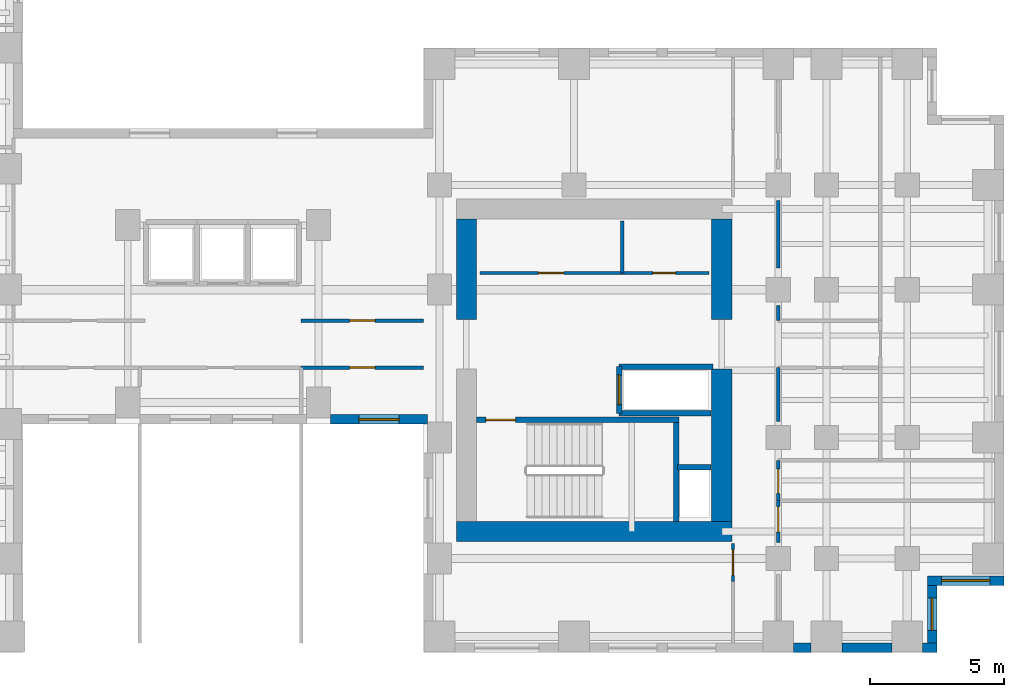
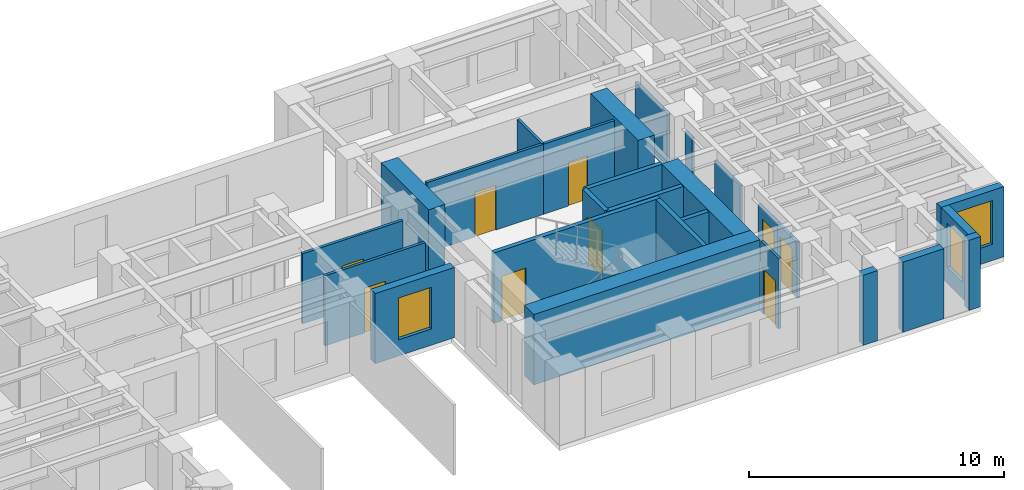
# One storey, part 7 of 11: 27 walls, 9 doors, 3 windows, 12 openings.
"""IFC4 building model written with IfcOpenShell, lengths in metres."""

from ifc_helpers import new_model, si_unit, direction, frame, frame_2d, origin, place, context, subcontext, project, spatial, rectangle, extrude, source, transform, mapped, material, layer, layer_set, type_object, element, fill, save


model = new_model("IFC4")

# Units and contexts
model_context = context("Model", 3, precision=1e-05, world=origin(), true_north=direction((0.0, 1.0)))
body_context = subcontext(model_context, "Body", "Model", "MODEL_VIEW")
ifc_project = project(units=[si_unit("LENGTHUNIT", "METRE"), si_unit("AREAUNIT", "SQUARE_METRE"), si_unit("VOLUMEUNIT", "CUBIC_METRE"), si_unit("PLANEANGLEUNIT", "RADIAN"), si_unit("MASSUNIT", "GRAM", prefix="KILO")], contexts=[model_context])

# Site, building, storey
site_placement = place(None, origin())
site = spatial("IfcSite", under=ifc_project, at=site_placement, CompositionType="ELEMENT")
building_placement = place(site_placement, origin())
building = spatial("IfcBuilding", under=site, at=building_placement, Name="Kharzan Plaza Tower", CompositionType="ELEMENT")
storey_placement = place(building_placement, frame((0.0, 0.0, 120.60009765625)))
storey = spatial("IfcBuildingStorey", under=building, at=storey_placement, Name="L32", CompositionType="ELEMENT", Elevation=120.60009765625)

# Wall, opening, window
ifc_material_1 = material(Name="Concrete C40/50", Category="concrete")
ifc_layer_1 = layer(ifc_material_1, 0.35009765625)
ifc_layer_set_1 = layer_set([ifc_layer_1], Name="Concrete C40/50")
wall_type_1 = type_object("IfcWallType", Name="WL-EXT-MAS-Z2", PredefinedType="SOLIDWALL", material=ifc_layer_set_1)
wall_1_placement = place(storey_placement, frame((30.947998046875, 8.675048828125, 0.0), z_axis=(0.0, 0.0, 1.0), x_axis=(1.0, 0.0, 0.0)))
wall_1 = element("IfcWall", 1, at=wall_1_placement, inside=storey, type_object=wall_type_1, Name="L32 Masonry-Frame Exterior Wall 36", PredefinedType="SOLIDWALL", context=body_context, shape_type="SweptSolid", body=[
    extrude(rectangle(XDim=3.60400390625, YDim=0.35009765625, at=frame_2d((1.802001953125, 0.0))), origin(), (0.0, 0.0, 1.0), 3.364990234375),
])
opening_1_placement = place(wall_1_placement, frame((1.052001953125, 0.0, 0.780029296875)))
opening_1 = element("IfcOpeningElement", 2, at=opening_1_placement, cuts=wall_1, Name="Opening W5", PredefinedType="OPENING", context=body_context, shape_type="SweptSolid", body=[
    extrude(rectangle(XDim=1.5, YDim=2.0, at=frame_2d((0.75, 1.0))), frame((0.0, 0.18505859375, 0.0), z_axis=(0.0, -1.0, 0.0), x_axis=(1.0, 0.0, 0.0)), (0.0, 0.0, 1.0), 0.3701171875),
])
ifc_material_2 = material(Name="Low-E Double Glazing", Category="glass")
window_type_1 = type_object("IfcWindowType", Name="WN-SLT-1500x2000", PartitioningType="SINGLE_PANEL", PredefinedType="WINDOW", material=ifc_material_2)
shared_shape_1 = source(origin(), body_context, "Body", "SweptSolid", [
    extrude(rectangle(XDim=1.5, YDim=2.0, at=frame_2d((0.75, 1.0))), frame((0.0, 0.030029296875, 0.0), z_axis=(0.0, -1.0, 0.0), x_axis=(1.0, 0.0, 0.0)), (0.0, 0.0, 1.0), 0.06005859375),
])
window_1_placement = place(opening_1_placement, origin())
window_1 = element("IfcWindow", 3, at=window_1_placement, inside=storey, type_object=window_type_1, Name="L32 Recessed Solar-Control Window 36-1", OverallHeight=2.0, OverallWidth=1.5, PartitioningType="SINGLE_PANEL", PredefinedType="WINDOW", context=body_context, shape_type="MappedRepresentation", body=[
    mapped(shared_shape_1, transform((0.0, 0.0, 0.0), x_axis=(1.0, 0.0, 0.0), y_axis=(0.0, 1.0, 0.0), z_axis=(0.0, 0.0, 1.0))),
])
fill(opening_1, window_1)

wall_2_placement = place(storey_placement, frame((53.324951171875, 0.347900390625, 0.0), z_axis=(0.0, 0.0, 1.0), x_axis=(0.0, 1.0, 0.0)))
wall_2 = element("IfcWall", 4, at=wall_2_placement, inside=storey, type_object=wall_type_1, Name="L32 Masonry-Frame Exterior Wall 44", PredefinedType="SOLIDWALL", context=body_context, shape_type="SweptSolid", body=[
    extrude(rectangle(XDim=2.154052734375, YDim=0.35009765625, at=frame_2d((1.0771484375, 0.0))), origin(), (0.0, 0.0, 1.0), 3.364990234375),
])
opening_2_placement = place(wall_2_placement, frame((0.47705078125, 0.0, 0.780029296875)))
opening_2 = element("IfcOpeningElement", 5, at=opening_2_placement, cuts=wall_2, Name="Opening W3", PredefinedType="OPENING", context=body_context, shape_type="SweptSolid", body=[
    extrude(rectangle(XDim=1.199951171875, YDim=2.10009765625, at=frame_2d((0.60009765625, 1.050048828125))), frame((0.0, 0.18505859375, 0.0), z_axis=(0.0, -1.0, 0.0), x_axis=(1.0, 0.0, 0.0)), (0.0, 0.0, 1.0), 0.3701171875),
])
window_type_2 = type_object("IfcWindowType", Name="WN-REC-1200x2100", PartitioningType="SINGLE_PANEL", PredefinedType="WINDOW", material=ifc_material_2)
shared_shape_2 = source(origin(), body_context, "Body", "SweptSolid", [
    extrude(rectangle(XDim=1.199951171875, YDim=2.10009765625, at=frame_2d((0.60009765625, 1.050048828125))), frame((0.0, 0.030029296875, 0.0), z_axis=(0.0, -1.0, 0.0), x_axis=(1.0, 0.0, 0.0)), (0.0, 0.0, 1.0), 0.06005859375),
])
window_2_placement = place(opening_2_placement, origin())
window_2 = element("IfcWindow", 6, at=window_2_placement, inside=storey, type_object=window_type_2, Name="L32 Recessed Solar-Control Window 44-1", OverallHeight=2.10009765625, OverallWidth=1.199951171875, PartitioningType="SINGLE_PANEL", PredefinedType="WINDOW", context=body_context, shape_type="MappedRepresentation", body=[
    mapped(shared_shape_2, transform((0.0, 0.0, 0.0), x_axis=(1.0, 0.0, 0.0), y_axis=(0.0, 1.0, 0.0), z_axis=(0.0, 0.0, 1.0))),
])
fill(opening_2, window_2)

wall_3_placement = place(storey_placement, frame((53.14990234375, 2.675048828125, 0.0), z_axis=(0.0, 0.0, 1.0), x_axis=(1.0, 0.0, 0.0)))
wall_3 = element("IfcWall", 7, at=wall_3_placement, inside=storey, type_object=wall_type_1, Name="L32 Masonry-Frame Exterior Wall 45", PredefinedType="SOLIDWALL", context=body_context, shape_type="SweptSolid", body=[
    extrude(rectangle(XDim=2.85009765625, YDim=0.35009765625, at=frame_2d((1.425048828125, 0.0))), origin(), (0.0, 0.0, 1.0), 3.364990234375),
])
opening_3_placement = place(wall_3_placement, frame((0.52490234375, 0.0, 0.780029296875)))
opening_3 = element("IfcOpeningElement", 8, at=opening_3_placement, cuts=wall_3, Name="Opening W1", PredefinedType="OPENING", context=body_context, shape_type="SweptSolid", body=[
    extrude(rectangle(XDim=1.800048828125, YDim=2.10009765625, at=frame_2d((0.89990234375, 1.050048828125))), frame((0.0, 0.18505859375, 0.0), z_axis=(0.0, -1.0, 0.0), x_axis=(1.0, 0.0, 0.0)), (0.0, 0.0, 1.0), 0.3701171875),
])
window_type_3 = type_object("IfcWindowType", Name="WN-REC-1800x2100", PartitioningType="SINGLE_PANEL", PredefinedType="WINDOW", material=ifc_material_2)
shared_shape_3 = source(origin(), body_context, "Body", "SweptSolid", [
    extrude(rectangle(XDim=1.800048828125, YDim=2.10009765625, at=frame_2d((0.89990234375, 1.050048828125))), frame((0.0, 0.030029296875, 0.0), z_axis=(0.0, -1.0, 0.0), x_axis=(1.0, 0.0, 0.0)), (0.0, 0.0, 1.0), 0.06005859375),
])
window_3_placement = place(opening_3_placement, origin())
window_3 = element("IfcWindow", 9, at=window_3_placement, inside=storey, type_object=window_type_3, Name="L32 Recessed Solar-Control Window 45-1", OverallHeight=2.10009765625, OverallWidth=1.800048828125, PartitioningType="SINGLE_PANEL", PredefinedType="WINDOW", context=body_context, shape_type="MappedRepresentation", body=[
    mapped(shared_shape_3, transform((0.0, 0.0, 0.0), x_axis=(1.0, 0.0, 0.0), y_axis=(0.0, 1.0, 0.0), z_axis=(0.0, 0.0, 1.0))),
])
fill(opening_3, window_3)

# Wall, opening, door
ifc_material_3 = material(Name="Fire-Rated Gypsum Board Partition", Category="gypsum")
ifc_layer_2 = layer(ifc_material_3, 0.125)
ifc_layer_set_2 = layer_set([ifc_layer_2], Name="Fire-Rated Gypsum Board Partition")
wall_type_2 = type_object("IfcWallType", Name="WL-INT-PART-125", PredefinedType="PARTITIONING", material=ifc_layer_set_2)
wall_4_placement = place(storey_placement, frame((36.5, 14.1201171875, 0.0), z_axis=(0.0, 0.0, 1.0), x_axis=(1.0, 0.0, 0.0)))
wall_4 = element("IfcWall", 10, at=wall_4_placement, inside=storey, type_object=wall_type_2, Name="L32 Interior Partition CB-RBLSA", PredefinedType="PARTITIONING", context=body_context, shape_type="SweptSolid", body=[
    extrude(rectangle(XDim=5.300048828125, YDim=0.125, at=frame_2d((2.64990234375, 0.0))), origin(), (0.0, 0.0, 1.0), 3.364990234375),
])
opening_4_placement = place(wall_4_placement, frame((2.175048828125, 0.0, 0.0)))
opening_4 = element("IfcOpeningElement", 11, at=opening_4_placement, cuts=wall_4, Name="Opening OD1", PredefinedType="OPENING", context=body_context, shape_type="SweptSolid", body=[
    extrude(rectangle(XDim=0.949951171875, YDim=2.14990234375, at=frame_2d((0.47509765625, 1.074951171875))), frame((0.0, 0.072509765625, 0.0), z_axis=(0.0, -1.0, 0.0), x_axis=(1.0, 0.0, 0.0)), (0.0, 0.0, 1.0), 0.14501953125),
])
ifc_material_4 = material(Name="Acoustic Solid-Core Stained Oak", Category="timber")
door_type_1 = type_object("IfcDoorType", Name="DR-OFF-SINGLE", OperationType="NOTDEFINED", PredefinedType="DOOR", material=ifc_material_4)
shared_shape_4 = source(origin(), body_context, "Body", "SweptSolid", [
    extrude(rectangle(XDim=0.949951171875, YDim=2.14990234375, at=frame_2d((0.47509765625, 1.074951171875))), frame((0.0, 0.02490234375, 0.0), z_axis=(0.0, -1.0, 0.0), x_axis=(1.0, 0.0, 0.0)), (0.0, 0.0, 1.0), 0.050048828125),
])
door_1_placement = place(opening_4_placement, origin())
door_1 = element("IfcDoor", 12, at=door_1_placement, inside=storey, type_object=door_type_1, Name="L32 Records Room Door", OperationType="SINGLE_SWING_LEFT", OverallHeight=2.14990234375, OverallWidth=0.949951171875, PredefinedType="DOOR", context=body_context, shape_type="MappedRepresentation", body=[
    mapped(shared_shape_4, transform((0.0, 0.0, 0.0), x_axis=(1.0, 0.0, 0.0), y_axis=(0.0, 1.0, 0.0), z_axis=(0.0, 0.0, 1.0))),
])
fill(opening_4, door_1)

wall_5_placement = place(storey_placement, frame((41.800048828125, 14.1201171875, 0.0), z_axis=(0.0, 0.0, 1.0), x_axis=(1.0, 0.0, 0.0)))
wall_5 = element("IfcWall", 13, at=wall_5_placement, inside=storey, type_object=wall_type_2, Name="L32 Interior Partition CB-RBLSB", PredefinedType="PARTITIONING", context=body_context, shape_type="SweptSolid", body=[
    extrude(rectangle(XDim=3.219970703125, YDim=0.125, at=frame_2d((1.60986328125, 0.0))), origin(), (0.0, 0.0, 1.0), 3.364990234375),
])
opening_5_placement = place(wall_5_placement, frame((1.135009765625, 0.0, 0.0)))
opening_5 = element("IfcOpeningElement", 14, at=opening_5_placement, cuts=wall_5, Name="Opening RD1", PredefinedType="OPENING", context=body_context, shape_type="SweptSolid", body=[
    extrude(rectangle(XDim=0.85009765625, YDim=2.10009765625, at=frame_2d((0.425048828125, 1.050048828125))), frame((0.0, 0.072509765625, 0.0), z_axis=(0.0, -1.0, 0.0), x_axis=(1.0, 0.0, 0.0)), (0.0, 0.0, 1.0), 0.14501953125),
])
ifc_material_5 = material(Name="Powder-Coated Fire-Rated Steel", Category="steel")
door_type_2 = type_object("IfcDoorType", Name="DR-RISER-900", OperationType="NOTDEFINED", PredefinedType="DOOR", material=ifc_material_5)
shared_shape_5 = source(origin(), body_context, "Body", "SweptSolid", [
    extrude(rectangle(XDim=0.85009765625, YDim=2.10009765625, at=frame_2d((0.425048828125, 1.050048828125))), frame((0.0, 0.02490234375, 0.0), z_axis=(0.0, -1.0, 0.0), x_axis=(1.0, 0.0, 0.0)), (0.0, 0.0, 1.0), 0.050048828125),
])
door_2_placement = place(opening_5_placement, origin())
door_2 = element("IfcDoor", 15, at=door_2_placement, inside=storey, type_object=door_type_2, Name="L32 Housekeeping Store Door", OperationType="SINGLE_SWING_RIGHT", OverallHeight=2.10009765625, OverallWidth=0.85009765625, PredefinedType="DOOR", context=body_context, shape_type="MappedRepresentation", body=[
    mapped(shared_shape_5, transform((0.0, 0.0, 0.0), x_axis=(1.0, 0.0, 0.0), y_axis=(0.0, 1.0, 0.0), z_axis=(0.0, 0.0, 1.0))),
])
fill(opening_5, door_2)

wall_6_placement = place(storey_placement, frame((47.60009765625, 4.090087890625, 0.0), z_axis=(0.0, 0.0, 1.0), x_axis=(0.0, 1.0, 0.0)))
wall_6 = element("IfcWall", 16, at=wall_6_placement, inside=storey, type_object=wall_type_2, Name="L32 Interior Partition SH-B2W0", PredefinedType="PARTITIONING", context=body_context, shape_type="SweptSolid", body=[
    extrude(rectangle(XDim=1.559814453125, YDim=0.125, at=frame_2d((0.77978515625, 0.0))), origin(), (0.0, 0.0, 1.0), 2.677001953125),
])
opening_6_placement = place(wall_6_placement, frame((0.38818359375, 0.0, 0.0)))
opening_6 = element("IfcOpeningElement", 17, at=opening_6_placement, cuts=wall_6, Name="Opening OD1", PredefinedType="OPENING", context=body_context, shape_type="SweptSolid", body=[
    extrude(rectangle(XDim=0.949951171875, YDim=2.14990234375, at=frame_2d((0.47509765625, 1.074951171875))), frame((0.0, 0.072509765625, 0.0), z_axis=(0.0, -1.0, 0.0), x_axis=(1.0, 0.0, 0.0)), (0.0, 0.0, 1.0), 0.14501953125),
])
door_3_placement = place(opening_6_placement, origin())
door_3 = element("IfcDoor", 18, at=door_3_placement, inside=storey, type_object=door_type_1, Name="L32 Wing B South Office Door", OperationType="SINGLE_SWING_RIGHT", OverallHeight=2.14990234375, OverallWidth=0.949951171875, PredefinedType="DOOR", context=body_context, shape_type="MappedRepresentation", body=[
    mapped(shared_shape_4, transform((0.0, 0.0, 0.0), x_axis=(1.0, 0.0, 0.0), y_axis=(0.0, 1.0, 0.0), z_axis=(0.0, 0.0, 1.0))),
])
fill(opening_6, door_3)

wall_7_placement = place(storey_placement, frame((47.60009765625, 5.64990234375, 0.0), z_axis=(0.0, 0.0, 1.0), x_axis=(0.0, 1.0, 0.0)))
wall_7 = element("IfcWall", 19, at=wall_7_placement, inside=storey, type_object=wall_type_2, Name="L32 Interior Partition SH-B2WC", PredefinedType="PARTITIONING", context=body_context, shape_type="SweptSolid", body=[
    extrude(rectangle(XDim=1.5, YDim=0.125, at=frame_2d((0.75, 0.0))), origin(), (0.0, 0.0, 1.0), 2.677001953125),
])
opening_7_placement = place(wall_7_placement, frame((0.27490234375, 0.0, 0.0)))
opening_7 = element("IfcOpeningElement", 20, at=opening_7_placement, cuts=wall_7, Name="Opening WD1", PredefinedType="OPENING", context=body_context, shape_type="SweptSolid", body=[
    extrude(rectangle(XDim=0.89990234375, YDim=2.14990234375, at=frame_2d((0.449951171875, 1.074951171875))), frame((0.0, 0.072509765625, 0.0), z_axis=(0.0, -1.0, 0.0), x_axis=(1.0, 0.0, 0.0)), (0.0, 0.0, 1.0), 0.14501953125),
])
ifc_material_6 = material(Name="Moisture-Resistant Fire-Rated Laminate", Category="timber")
door_type_3 = type_object("IfcDoorType", Name="DR-WC-900", OperationType="NOTDEFINED", PredefinedType="DOOR", material=ifc_material_6)
shared_shape_6 = source(origin(), body_context, "Body", "SweptSolid", [
    extrude(rectangle(XDim=0.89990234375, YDim=2.14990234375, at=frame_2d((0.449951171875, 1.074951171875))), frame((0.0, 0.02490234375, 0.0), z_axis=(0.0, -1.0, 0.0), x_axis=(1.0, 0.0, 0.0)), (0.0, 0.0, 1.0), 0.050048828125),
])
door_4_placement = place(opening_7_placement, origin())
door_4 = element("IfcDoor", 21, at=door_4_placement, inside=storey, type_object=door_type_3, Name="L32 Wing B Washroom Door", OperationType="SINGLE_SWING_LEFT", OverallHeight=2.14990234375, OverallWidth=0.89990234375, PredefinedType="DOOR", context=body_context, shape_type="MappedRepresentation", body=[
    mapped(shared_shape_6, transform((0.0, 0.0, 0.0), x_axis=(1.0, 0.0, 0.0), y_axis=(0.0, 1.0, 0.0), z_axis=(0.0, 0.0, 1.0))),
])
fill(opening_7, door_4)

wall_8_placement = place(storey_placement, frame((45.919921875, 2.64990234375, 0.0), z_axis=(0.0, 0.0, 1.0), x_axis=(0.0, 1.0, 0.0)))
wall_8 = element("IfcWall", 22, at=wall_8_placement, inside=storey, type_object=wall_type_2, Name="L32 Interior Partition SH-RBSE", PredefinedType="PARTITIONING", context=body_context, shape_type="SweptSolid", body=[
    extrude(rectangle(XDim=1.400146484375, YDim=0.125, at=frame_2d((0.7001953125, 0.0))), origin(), (0.0, 0.0, 1.0), 3.364990234375),
])
opening_8_placement = place(wall_8_placement, frame((0.22509765625, 0.0, 0.0)))
opening_8 = element("IfcOpeningElement", 23, at=opening_8_placement, cuts=wall_8, Name="Opening OD1", PredefinedType="OPENING", context=body_context, shape_type="SweptSolid", body=[
    extrude(rectangle(XDim=0.949951171875, YDim=2.14990234375, at=frame_2d((0.47509765625, 1.074951171875))), frame((0.0, 0.072509765625, 0.0), z_axis=(0.0, -1.0, 0.0), x_axis=(1.0, 0.0, 0.0)), (0.0, 0.0, 1.0), 0.14501953125),
])
door_5_placement = place(opening_8_placement, origin())
door_5 = element("IfcDoor", 24, at=door_5_placement, inside=storey, type_object=door_type_1, Name="L32 South-East Corner Office Door", OperationType="SINGLE_SWING_LEFT", OverallHeight=2.14990234375, OverallWidth=0.949951171875, PredefinedType="DOOR", context=body_context, shape_type="MappedRepresentation", body=[
    mapped(shared_shape_4, transform((0.0, 0.0, 0.0), x_axis=(1.0, 0.0, 0.0), y_axis=(0.0, 1.0, 0.0), z_axis=(0.0, 0.0, 1.0))),
])
fill(opening_8, door_5)

wall_9_placement = place(storey_placement, frame((29.85009765625, 12.35009765625, 0.0), z_axis=(0.0, 0.0, 1.0), x_axis=(1.0, 0.0, 0.0)))
wall_9 = element("IfcWall", 25, at=wall_9_placement, inside=storey, type_object=wall_type_2, Name="L32 Interior Partition SH-SPNE1", PredefinedType="PARTITIONING", context=body_context, shape_type="SweptSolid", body=[
    extrude(rectangle(XDim=4.5498046875, YDim=0.125, at=frame_2d((2.27490234375, 0.0))), origin(), (0.0, 0.0, 1.0), 3.364990234375),
])
opening_9_placement = place(wall_9_placement, frame((1.800048828125, 0.0, 0.0)))
opening_9 = element("IfcOpeningElement", 26, at=opening_9_placement, cuts=wall_9, Name="Opening OD1", PredefinedType="OPENING", context=body_context, shape_type="SweptSolid", body=[
    extrude(rectangle(XDim=0.949951171875, YDim=2.14990234375, at=frame_2d((0.47509765625, 1.074951171875))), frame((0.0, 0.072509765625, 0.0), z_axis=(0.0, -1.0, 0.0), x_axis=(1.0, 0.0, 0.0)), (0.0, 0.0, 1.0), 0.14501953125),
])
door_6_placement = place(opening_9_placement, origin())
door_6 = element("IfcDoor", 27, at=door_6_placement, inside=storey, type_object=door_type_1, Name="L32 North-East Spine Door", OperationType="SINGLE_SWING_RIGHT", OverallHeight=2.14990234375, OverallWidth=0.949951171875, PredefinedType="DOOR", context=body_context, shape_type="MappedRepresentation", body=[
    mapped(shared_shape_4, transform((0.0, 0.0, 0.0), x_axis=(1.0, 0.0, 0.0), y_axis=(0.0, 1.0, 0.0), z_axis=(0.0, 0.0, 1.0))),
])
fill(opening_9, door_6)

wall_10_placement = place(storey_placement, frame((29.85009765625, 10.60009765625, 0.0), z_axis=(0.0, 0.0, 1.0), x_axis=(1.0, 0.0, 0.0)))
wall_10 = element("IfcWall", 28, at=wall_10_placement, inside=storey, type_object=wall_type_2, Name="L32 Interior Partition SH-SPS3", PredefinedType="PARTITIONING", context=body_context, shape_type="SweptSolid", body=[
    extrude(rectangle(XDim=4.5498046875, YDim=0.125, at=frame_2d((2.27490234375, 0.0))), origin(), (0.0, 0.0, 1.0), 3.364990234375),
])
opening_10_placement = place(wall_10_placement, frame((1.800048828125, 0.0, 0.0)))
opening_10 = element("IfcOpeningElement", 29, at=opening_10_placement, cuts=wall_10, Name="Opening OD1", PredefinedType="OPENING", context=body_context, shape_type="SweptSolid", body=[
    extrude(rectangle(XDim=0.949951171875, YDim=2.14990234375, at=frame_2d((0.47509765625, 1.074951171875))), frame((0.0, 0.072509765625, 0.0), z_axis=(0.0, -1.0, 0.0), x_axis=(1.0, 0.0, 0.0)), (0.0, 0.0, 1.0), 0.14501953125),
])
door_7_placement = place(opening_10_placement, origin())
door_7 = element("IfcDoor", 30, at=door_7_placement, inside=storey, type_object=door_type_1, Name="L32 Spine Studio 3 Door", OperationType="SINGLE_SWING_RIGHT", OverallHeight=2.14990234375, OverallWidth=0.949951171875, PredefinedType="DOOR", context=body_context, shape_type="MappedRepresentation", body=[
    mapped(shared_shape_4, transform((0.0, 0.0, 0.0), x_axis=(1.0, 0.0, 0.0), y_axis=(0.0, 1.0, 0.0), z_axis=(0.0, 0.0, 1.0))),
])
fill(opening_10, door_7)

ifc_layer_3 = layer(ifc_material_1, 0.199951171875)
ifc_layer_set_3 = layer_set([ifc_layer_3], Name="Concrete C40/50")
wall_type_3 = type_object("IfcWallType", Name="WL-INT-SHAFT-200", PredefinedType="PARTITIONING", material=ifc_layer_set_3)
wall_11_placement = place(storey_placement, frame((41.679931640625, 8.89990234375, 0.0), z_axis=(0.0, 0.0, 1.0), x_axis=(0.0, 1.0, 0.0)))
wall_11 = element("IfcWall", 31, at=wall_11_placement, inside=storey, type_object=wall_type_3, Name="L32 Interior Partition SHF-SVL-2-W", PredefinedType="PARTITIONING", context=body_context, shape_type="SweptSolid", body=[
    extrude(rectangle(XDim=1.739990234375, YDim=0.199951171875, at=frame_2d((0.8701171875, 0.0))), origin(), (0.0, 0.0, 1.0), 3.364990234375),
])
opening_11_placement = place(wall_11_placement, frame((0.320068359375, 0.0, 0.0)))
opening_11 = element("IfcOpeningElement", 32, at=opening_11_placement, cuts=wall_11, Name="Opening LD", PredefinedType="OPENING", context=body_context, shape_type="SweptSolid", body=[
    extrude(rectangle(XDim=1.10009765625, YDim=2.199951171875, at=frame_2d((0.550048828125, 1.10009765625))), frame((0.0, 0.10986328125, 0.0), z_axis=(0.0, -1.0, 0.0), x_axis=(1.0, 0.0, 0.0)), (0.0, 0.0, 1.0), 0.219970703125),
])
ifc_material_7 = material(Name="Brushed Stainless Steel", Category="steel")
door_type_4 = type_object("IfcDoorType", Name="DR-LIFT-SLIDE", OperationType="SLIDING_TO_LEFT", PredefinedType="DOOR", material=ifc_material_7)
shared_shape_7 = source(origin(), body_context, "Body", "SweptSolid", [
    extrude(rectangle(XDim=1.10009765625, YDim=2.199951171875, at=frame_2d((0.550048828125, 1.10009765625))), frame((0.0, 0.02490234375, 0.0), z_axis=(0.0, -1.0, 0.0), x_axis=(1.0, 0.0, 0.0)), (0.0, 0.0, 1.0), 0.050048828125),
])
door_8_placement = place(opening_11_placement, origin())
door_8 = element("IfcDoor", 33, at=door_8_placement, inside=storey, type_object=door_type_4, Name="L32 Service Lift SVL-2 Sliding Landing Door", OperationType="SLIDING_TO_LEFT", OverallHeight=2.199951171875, OverallWidth=1.10009765625, PredefinedType="DOOR", context=body_context, shape_type="MappedRepresentation", body=[
    mapped(shared_shape_7, transform((0.0, 0.0, 0.0), x_axis=(1.0, 0.0, 0.0), y_axis=(0.0, 1.0, 0.0), z_axis=(0.0, 0.0, 1.0))),
])
fill(opening_11, door_8)

ifc_material_8 = material(Name="Concrete C50/60", Category="concrete")
ifc_layer_4 = layer(ifc_material_8, 0.199951171875)
ifc_layer_set_4 = layer_set([ifc_layer_4], Name="Concrete C50/60")
wall_type_4 = type_object("IfcWallType", Name="WL-SHAFT-RC200", PredefinedType="SHEAR", material=ifc_layer_set_4)
wall_12_placement = place(storey_placement, frame((36.376953125, 8.655029296875, 0.0), z_axis=(0.0, 0.0, 1.0), x_axis=(1.0, 0.0, 0.0)))
wall_12 = element("IfcWall", 34, at=wall_12_placement, inside=storey, type_object=wall_type_4, Name="L32 Stair ST-3 North RC Shaft Wall", PredefinedType="SHEAR", context=body_context, shape_type="SweptSolid", body=[
    extrude(rectangle(XDim=7.528076171875, YDim=0.199951171875, at=frame_2d((3.76416015625, 0.0))), origin(), (0.0, 0.0, 1.0), 3.3798828125),
])
opening_12_placement = place(wall_12_placement, frame((0.35009765625, 0.0, 0.0)))
opening_12 = element("IfcOpeningElement", 35, at=opening_12_placement, cuts=wall_12, Name="Opening SD1", PredefinedType="OPENING", context=body_context, shape_type="SweptSolid", body=[
    extrude(rectangle(XDim=1.10009765625, YDim=2.14990234375, at=frame_2d((0.550048828125, 1.074951171875))), frame((0.0, 0.10986328125, 0.0), z_axis=(0.0, -1.0, 0.0), x_axis=(1.0, 0.0, 0.0)), (0.0, 0.0, 1.0), 0.219970703125),
])
ifc_material_9 = material(Name="Fire-Rated Hollow Galvanized Steel", Category="steel")
door_type_5 = type_object("IfcDoorType", Name="DR-STAIR-FD120", OperationType="NOTDEFINED", PredefinedType="DOOR", material=ifc_material_9)
shared_shape_8 = source(origin(), body_context, "Body", "SweptSolid", [
    extrude(rectangle(XDim=1.10009765625, YDim=2.14990234375, at=frame_2d((0.550048828125, 1.074951171875))), frame((0.0, 0.02490234375, 0.0), z_axis=(0.0, -1.0, 0.0), x_axis=(1.0, 0.0, 0.0)), (0.0, 0.0, 1.0), 0.050048828125),
])
door_9_placement = place(opening_12_placement, origin())
door_9 = element("IfcDoor", 36, at=door_9_placement, inside=storey, type_object=door_type_5, Name="L32 Stair ST-3 Fire Exit Door", OperationType="SINGLE_SWING_RIGHT", OverallHeight=2.14990234375, OverallWidth=1.10009765625, PredefinedType="DOOR", context=body_context, shape_type="MappedRepresentation", body=[
    mapped(shared_shape_8, transform((0.0, 0.0, 0.0), x_axis=(1.0, 0.0, 0.0), y_axis=(0.0, 1.0, 0.0), z_axis=(0.0, 0.0, 1.0))),
])
fill(opening_12, door_9)

# Walls
shared_shape_9 = source(origin(), body_context, "Body", "SweptSolid", [
    extrude(rectangle(XDim=3.489990234375, YDim=0.199951171875, at=frame_2d((1.7451171875, 0.0))), origin(), (0.0, 0.0, 1.0), 3.364990234375),
])
wall_13_placement = place(storey_placement, frame((41.679931640625, 10.639892578125, 0.0), z_axis=(0.0, 0.0, 1.0), x_axis=(1.0, 0.0, 0.0)))
element("IfcWall", 37, at=wall_13_placement, inside=storey, type_object=wall_type_3, Name="L32 Interior Partition SHF-SVL-2-N", PredefinedType="PARTITIONING", context=body_context, shape_type="MappedRepresentation", body=[
    mapped(shared_shape_9, transform((0.0, 0.0, 0.0), x_axis=(1.0, 0.0, 0.0), y_axis=(0.0, 1.0, 0.0), z_axis=(0.0, 0.0, 1.0))),
])
shared_shape_10 = source(origin(), body_context, "Body", "SweptSolid", [
    extrude(rectangle(XDim=0.65380859375, YDim=0.35009765625, at=frame_2d((0.326904296875, 0.0))), origin(), (0.0, 0.0, 1.0), 3.364990234375),
])
wall_14_placement = place(storey_placement, frame((48.173095703125, 0.175048828125, 0.0), z_axis=(0.0, 0.0, 1.0), x_axis=(1.0, 0.0, 0.0)))
element("IfcWall", 38, at=wall_14_placement, inside=storey, type_object=wall_type_1, Name="L32 Masonry-Frame Exterior Wall 41", PredefinedType="SOLIDWALL", context=body_context, shape_type="MappedRepresentation", body=[
    mapped(shared_shape_10, transform((0.0, 0.0, 0.0), x_axis=(1.0, 0.0, 0.0), y_axis=(0.0, 1.0, 0.0), z_axis=(0.0, 0.0, 1.0))),
])
shared_shape_11 = source(origin(), body_context, "Body", "SweptSolid", [
    extrude(rectangle(XDim=1.85400390625, YDim=0.35009765625, at=frame_2d((0.927001953125, 0.0))), origin(), (0.0, 0.0, 1.0), 3.364990234375),
])
wall_15_placement = place(storey_placement, frame((49.972900390625, 0.175048828125, 0.0), z_axis=(0.0, 0.0, 1.0), x_axis=(1.0, 0.0, 0.0)))
element("IfcWall", 39, at=wall_15_placement, inside=storey, type_object=wall_type_1, Name="L32 Masonry-Frame Exterior Wall 42", PredefinedType="SOLIDWALL", context=body_context, shape_type="MappedRepresentation", body=[
    mapped(shared_shape_11, transform((0.0, 0.0, 0.0), x_axis=(1.0, 0.0, 0.0), y_axis=(0.0, 1.0, 0.0), z_axis=(0.0, 0.0, 1.0))),
])
shared_shape_12 = source(origin(), body_context, "Body", "SweptSolid", [
    extrude(rectangle(XDim=0.527099609375, YDim=0.35009765625, at=frame_2d((0.263671875, 0.0))), origin(), (0.0, 0.0, 1.0), 3.364990234375),
])
wall_16_placement = place(storey_placement, frame((52.972900390625, 0.175048828125, 0.0), z_axis=(0.0, 0.0, 1.0), x_axis=(1.0, 0.0, 0.0)))
element("IfcWall", 40, at=wall_16_placement, inside=storey, type_object=wall_type_1, Name="L32 Masonry-Frame Exterior Wall 43", PredefinedType="SOLIDWALL", context=body_context, shape_type="MappedRepresentation", body=[
    mapped(shared_shape_12, transform((0.0, 0.0, 0.0), x_axis=(1.0, 0.0, 0.0), y_axis=(0.0, 1.0, 0.0), z_axis=(0.0, 0.0, 1.0))),
])
shared_shape_13 = source(origin(), body_context, "Body", "SweptSolid", [
    extrude(rectangle(XDim=0.559814453125, YDim=0.125, at=frame_2d((0.27978515625, 0.0))), origin(), (0.0, 0.0, 1.0), 2.677001953125),
])
wall_17_placement = place(storey_placement, frame((47.60009765625, 12.35009765625, 0.0), z_axis=(0.0, 0.0, 1.0), x_axis=(0.0, 1.0, 0.0)))
element("IfcWall", 41, at=wall_17_placement, inside=storey, type_object=wall_type_2, Name="L32 Interior Partition SH-B2W3S", PredefinedType="PARTITIONING", context=body_context, shape_type="MappedRepresentation", body=[
    mapped(shared_shape_13, transform((0.0, 0.0, 0.0), x_axis=(1.0, 0.0, 0.0), y_axis=(0.0, 1.0, 0.0), z_axis=(0.0, 0.0, 1.0))),
])
shared_shape_14 = source(origin(), body_context, "Body", "SweptSolid", [
    extrude(rectangle(XDim=2.010009765625, YDim=0.125, at=frame_2d((1.0048828125, 0.0))), origin(), (0.0, 0.0, 1.0), 2.677001953125),
])
wall_18_placement = place(storey_placement, frame((47.60009765625, 8.590087890625, 0.0), z_axis=(0.0, 0.0, 1.0), x_axis=(0.0, 1.0, 0.0)))
element("IfcWall", 42, at=wall_18_placement, inside=storey, type_object=wall_type_2, Name="L32 Interior Partition SH-B2W1C", PredefinedType="PARTITIONING", context=body_context, shape_type="MappedRepresentation", body=[
    mapped(shared_shape_14, transform((0.0, 0.0, 0.0), x_axis=(1.0, 0.0, 0.0), y_axis=(0.0, 1.0, 0.0), z_axis=(0.0, 0.0, 1.0))),
])
shared_shape_15 = source(origin(), body_context, "Body", "SweptSolid", [
    extrude(rectangle(XDim=2.510009765625, YDim=0.125, at=frame_2d((1.2548828125, 0.0))), origin(), (0.0, 0.0, 1.0), 2.677001953125),
])
wall_19_placement = place(storey_placement, frame((47.60009765625, 14.300048828125, 0.0), z_axis=(0.0, 0.0, 1.0), x_axis=(0.0, 1.0, 0.0)))
element("IfcWall", 43, at=wall_19_placement, inside=storey, type_object=wall_type_2, Name="L32 Interior Partition SH-B2W3D-S1", PredefinedType="PARTITIONING", context=body_context, shape_type="MappedRepresentation", body=[
    mapped(shared_shape_15, transform((0.0, 0.0, 0.0), x_axis=(1.0, 0.0, 0.0), y_axis=(0.0, 1.0, 0.0), z_axis=(0.0, 0.0, 1.0))),
])
shared_shape_16 = source(origin(), body_context, "Body", "SweptSolid", [
    extrude(rectangle(XDim=1.244873046875, YDim=0.199951171875, at=frame_2d((0.62255859375, 0.0))), origin(), (0.0, 0.0, 1.0), 3.364990234375),
])
wall_20_placement = place(storey_placement, frame((43.85009765625, 6.89990234375, 0.0), z_axis=(0.0, 0.0, 1.0), x_axis=(1.0, 0.0, 0.0)))
element("IfcWall", 44, at=wall_20_placement, inside=storey, type_object=wall_type_3, Name="L32 Interior Partition CB-RSRB-N", PredefinedType="PARTITIONING", context=body_context, shape_type="MappedRepresentation", body=[
    mapped(shared_shape_16, transform((0.0, 0.0, 0.0), x_axis=(1.0, 0.0, 0.0), y_axis=(0.0, 1.0, 0.0), z_axis=(0.0, 0.0, 1.0))),
])
shared_shape_17 = source(origin(), body_context, "Body", "SweptSolid", [
    extrude(rectangle(XDim=3.4150390625, YDim=0.199951171875, at=frame_2d((1.70751953125, 0.0))), origin(), (0.0, 0.0, 1.0), 3.364990234375),
])
wall_21_placement = place(storey_placement, frame((41.679931640625, 8.89990234375, 0.0), z_axis=(0.0, 0.0, 1.0), x_axis=(1.0, 0.0, 0.0)))
element("IfcWall", 45, at=wall_21_placement, inside=storey, type_object=wall_type_3, Name="L32 Interior Partition SHF-SVL-2-S", PredefinedType="PARTITIONING", context=body_context, shape_type="MappedRepresentation", body=[
    mapped(shared_shape_17, transform((0.0, 0.0, 0.0), x_axis=(1.0, 0.0, 0.0), y_axis=(0.0, 1.0, 0.0), z_axis=(0.0, 0.0, 1.0))),
])
ifc_material_10 = material(Name="Concrete C60/75", Category="concrete")
ifc_layer_5 = layer(ifc_material_10, 0.75)
ifc_layer_set_5 = layer_set([ifc_layer_5], Name="Concrete C60/75")
wall_type_5 = type_object("IfcWallType", Name="WL-CORE-750", PredefinedType="SHEAR", material=ifc_layer_set_5)
shared_shape_18 = source(origin(), body_context, "Body", "SweptSolid", [
    extrude(rectangle(XDim=5.675048828125, YDim=0.75, at=frame_2d((2.83740234375, 0.0))), origin(), (0.0, 0.0, 1.0), 3.3798828125),
])
wall_22_placement = place(storey_placement, frame((45.5, 4.875, 0.0), z_axis=(0.0, 0.0, 1.0), x_axis=(0.0, 1.0, 0.0)))
element("IfcWall", 46, at=wall_22_placement, inside=storey, type_object=wall_type_5, Name="L32 CORE-B east shear pier 1", PredefinedType="SHEAR", context=body_context, shape_type="MappedRepresentation", body=[
    mapped(shared_shape_18, transform((0.0, 0.0, 0.0), x_axis=(1.0, 0.0, 0.0), y_axis=(0.0, 1.0, 0.0), z_axis=(0.0, 0.0, 1.0))),
])
shared_shape_19 = source(origin(), body_context, "Body", "SweptSolid", [
    extrude(rectangle(XDim=3.72509765625, YDim=0.75, at=frame_2d((1.862548828125, 0.0))), origin(), (0.0, 0.0, 1.0), 3.3798828125),
])
for number, where, z_axis, x_axis, name in (
    (47, (45.5, 12.39990234375, 0.0), (0.0, 0.0, 1.0), (0.0, 1.0, 0.0), "L32 CORE-B east shear pier 2"),
    (48, (36.0, 12.39990234375, 0.0), (0.0, 0.0, 1.0), (0.0, 1.0, 0.0), "L32 CORE-B west shear pier 2"),
):
    element("IfcWall", number, at=place(storey_placement, frame(where, z_axis=z_axis, x_axis=x_axis)), inside=storey, type_object=wall_type_5, Name=name, PredefinedType="SHEAR", context=body_context, shape_type="MappedRepresentation", body=[
        mapped(shared_shape_19, transform((0.0, 0.0, 0.0), x_axis=(1.0, 0.0, 0.0), y_axis=(0.0, 1.0, 0.0), z_axis=(0.0, 0.0, 1.0))),
    ])
shared_shape_20 = source(origin(), body_context, "Body", "SweptSolid", [
    extrude(rectangle(XDim=10.25, YDim=0.75, at=frame_2d((5.125, 0.0))), origin(), (0.0, 0.0, 1.0), 3.3798828125),
])
wall_23_placement = place(storey_placement, frame((35.625, 4.5, 0.0), z_axis=(0.0, 0.0, 1.0), x_axis=(1.0, 0.0, 0.0)))
element("IfcWall", 49, at=wall_23_placement, inside=storey, type_object=wall_type_5, Name="L32 CORE-B south RC shear wall", PredefinedType="SHEAR", context=body_context, shape_type="MappedRepresentation", body=[
    mapped(shared_shape_20, transform((0.0, 0.0, 0.0), x_axis=(1.0, 0.0, 0.0), y_axis=(0.0, 1.0, 0.0), z_axis=(0.0, 0.0, 1.0))),
])
shared_shape_21 = source(origin(), body_context, "Body", "SweptSolid", [
    extrude(rectangle(XDim=3.677978515625, YDim=0.199951171875, at=frame_2d((1.8388671875, 0.0))), origin(), (0.0, 0.0, 1.0), 3.3798828125),
])
wall_24_placement = place(storey_placement, frame((43.804931640625, 4.876953125, 0.0), z_axis=(0.0, 0.0, 1.0), x_axis=(0.0, 1.0, 0.0)))
element("IfcWall", 50, at=wall_24_placement, inside=storey, type_object=wall_type_4, Name="L32 Stair ST-3 East RC Shaft Wall", PredefinedType="SHEAR", context=body_context, shape_type="MappedRepresentation", body=[
    mapped(shared_shape_21, transform((0.0, 0.0, 0.0), x_axis=(1.0, 0.0, 0.0), y_axis=(0.0, 1.0, 0.0), z_axis=(0.0, 0.0, 1.0))),
])
shared_shape_22 = source(origin(), body_context, "Body", "SweptSolid", [
    extrude(rectangle(XDim=1.929931640625, YDim=0.125, at=frame_2d((0.96484375, 0.0))), origin(), (0.0, 0.0, 1.0), 3.364990234375),
])
wall_25_placement = place(storey_placement, frame((41.800048828125, 14.1201171875, 0.0), z_axis=(0.0, 0.0, 1.0), x_axis=(0.0, 1.0, 0.0)))
element("IfcWall", 51, at=wall_25_placement, inside=storey, type_object=wall_type_2, Name="L32 Interior Partition CB-RBLM2", PredefinedType="PARTITIONING", context=body_context, shape_type="MappedRepresentation", body=[
    mapped(shared_shape_22, transform((0.0, 0.0, 0.0), x_axis=(1.0, 0.0, 0.0), y_axis=(0.0, 1.0, 0.0), z_axis=(0.0, 0.0, 1.0))),
])

save(model, "model.ifc")
